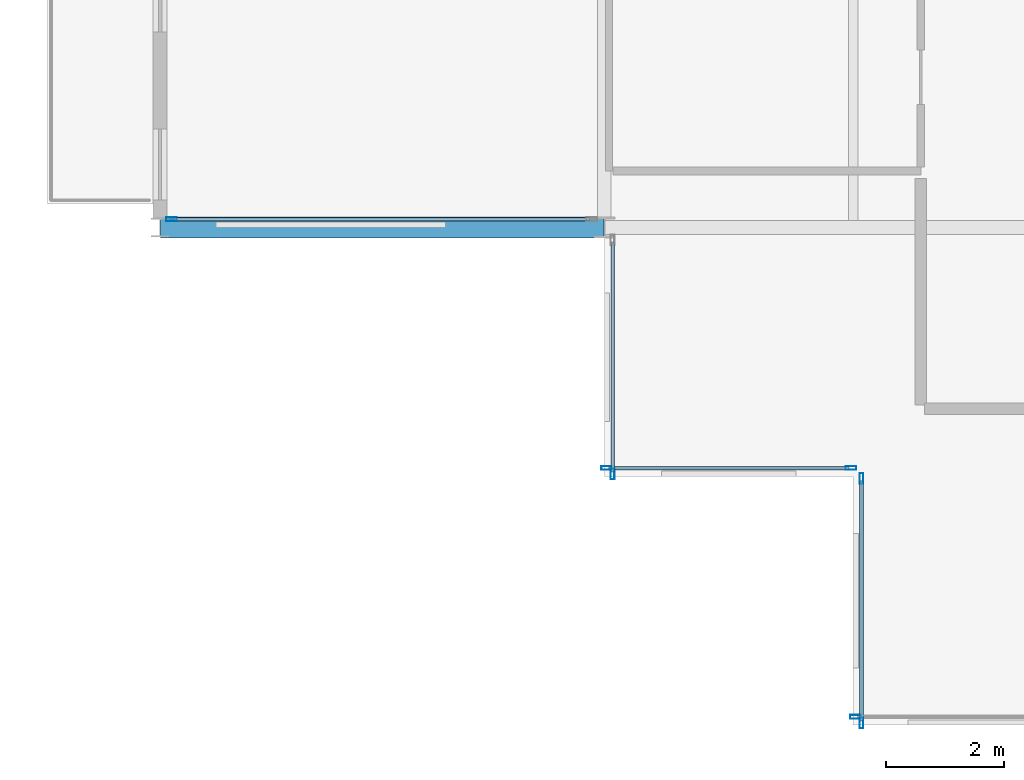
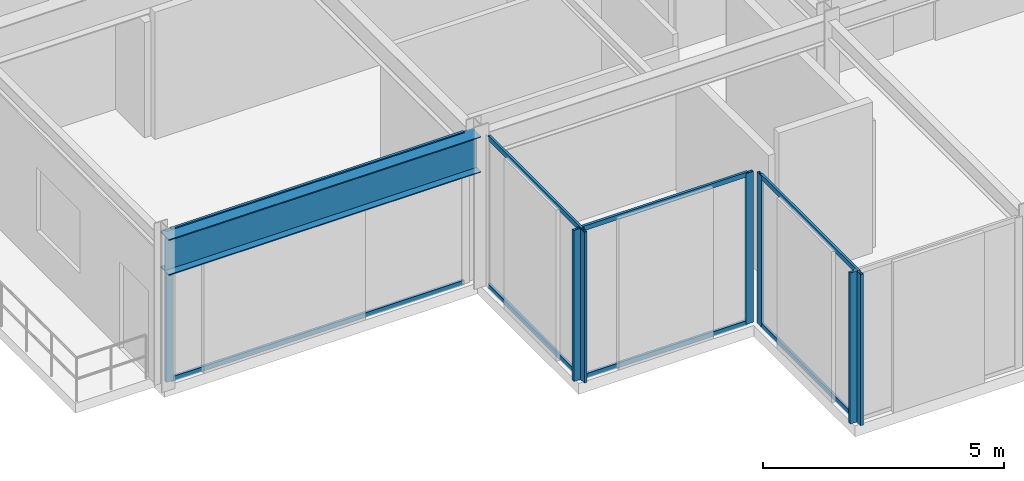
# One storey, part 3 of 29: 15 members, 1 beam, 5 elements without a shape of their own.
"""IFC4 building model written with IfcOpenShell, lengths in metres."""

from ifc_helpers import new_model, si_unit, direction, frame, origin, origin_2d, place, context, subcontext, project, spatial, hollow_rectangle, i_section, extrude, material, layer, layer_set, material_profile, profile_set, type_object, element, aggregate, save


model = new_model("IFC4")

# Units and contexts
model_context = context("Model", 3, precision=1e-05, world=origin(), true_north=direction((0.0, 1.0)))
body_context = subcontext(model_context, "Body", "Model", "MODEL_VIEW")
ifc_project = project(units=[si_unit("LENGTHUNIT", "METRE"), si_unit("AREAUNIT", "SQUARE_METRE"), si_unit("VOLUMEUNIT", "CUBIC_METRE"), si_unit("PLANEANGLEUNIT", "RADIAN"), si_unit("MASSUNIT", "GRAM", prefix="KILO")], contexts=[model_context])

# Site, building, storey
site_placement = place(None, origin())
site = spatial("IfcSite", under=ifc_project, at=site_placement, CompositionType="ELEMENT")
building_placement = place(site_placement, origin())
building = spatial("IfcBuilding", under=site, at=building_placement, Name="Nerrivon Quay Data Exchange", CompositionType="ELEMENT")
storey_placement = place(building_placement, frame((0.0, 0.0, 200.10009765625)))
storey = spatial("IfcBuildingStorey", under=building, at=storey_placement, Name="L47", CompositionType="ELEMENT", Elevation=200.10009765625)

# Beam
ifc_material_1 = material(Name="Steel Grade 350", Category="steel")
ifc_material_profile_1 = material_profile(ifc_material_1, i_section(OverallWidth=0.35009765625, OverallDepth=0.909912109375, WebThickness=0.011962890625, FlangeThickness=0.02490234375, at=origin_2d()), Name="900WB218")
ifc_profile_set_1 = profile_set([ifc_material_profile_1], Name="Steel Grade 350")
beam_type = type_object("IfcBeamType", Name="BM-CANT-900WB", PredefinedType="USERDEFINED", material=ifc_profile_set_1)
beam_placement = place(storey_placement, frame((-0.010009765625, 8.39990234375, 3.369873046875), z_axis=(-1.0, 0.0, 0.0), x_axis=(0.0, -1.0, 0.0)))
element("IfcBeam", 1, at=beam_placement, inside=storey, type_object=beam_type, Name="L47 West Hooked Cantilever Girder Y=8.4", ObjectType="TRANSFER", PredefinedType="USERDEFINED", context=body_context, shape_type="SweptSolid", body=[
    extrude(i_section(OverallWidth=0.35009765625, OverallDepth=0.909912109375, WebThickness=0.011962890625, FlangeThickness=0.02490234375, at=origin_2d()), origin(), (0.0, 0.0, 1.0), 7.482177734375),
])

# Curtain wall, member
ifc_material_2 = material(Name="Anodised aluminium 6063-T6", Category="aluminium")
ifc_layer_1 = layer(ifc_material_2, 0.195068359375)
ifc_layer_set_1 = layer_set([ifc_layer_1], Name="Anodised aluminium 6063-T6")
curtain_wall_type_1 = type_object("IfcCurtainWallType", Name="CW-SYS-06", PredefinedType="NOTDEFINED", material=ifc_layer_set_1)
curtain_wall_1_placement = place(storey_placement, origin())
curtain_wall_1 = element("IfcCurtainWall", 2, at=curtain_wall_1_placement, inside=storey, type_object=curtain_wall_type_1, Name="L47 Unitised Curtain Wall 28", PredefinedType="NOTDEFINED")
ifc_material_profile_2 = material_profile(ifc_material_2, hollow_rectangle(XDim=0.06494140625, YDim=0.179931640625, WallThickness=0.00341796875, at=origin_2d()), Name="ALU-MULL-180x65")
ifc_profile_set_2 = profile_set([ifc_material_profile_2], Name="Anodised aluminium 6063-T6")
member_type_1 = type_object("IfcMemberType", Name="CWM-180x65", PredefinedType="MULLION", material=ifc_profile_set_2)
member_1_placement = place(storey_placement, frame((4.237548828125, 0.139892578125, 0.0), z_axis=(0.0, 0.0, 1.0), x_axis=(0.0, -1.0, 0.0)))
member_1 = element("IfcMember", 3, at=member_1_placement, type_object=member_type_1, Name="CW06 mullion 2", PredefinedType="MULLION", context=body_context, shape_type="SweptSolid", body=[
    extrude(hollow_rectangle(XDim=0.06494140625, YDim=0.179931640625, WallThickness=0.00341796875, at=origin_2d()), origin(), (0.0, 0.0, 1.0), 3.824951171875),
])
aggregate(curtain_wall_1, [member_1])

# Curtain wall, members
curtain_wall_2_placement = place(storey_placement, origin())
curtain_wall_2 = element("IfcCurtainWall", 4, at=curtain_wall_2_placement, inside=storey, type_object=curtain_wall_type_1, Name="L47 Unitised Curtain Wall 29", PredefinedType="NOTDEFINED")
member_2_placement = place(storey_placement, frame((4.340087890625, 0.03759765625, 0.0), z_axis=(0.0, 0.0, 1.0), x_axis=(-1.0, 0.0, 0.0)))
member_2 = element("IfcMember", 5, at=member_2_placement, type_object=member_type_1, Name="CW06 mullion 1", PredefinedType="MULLION", context=body_context, shape_type="SweptSolid", body=[
    extrude(hollow_rectangle(XDim=0.06494140625, YDim=0.179931640625, WallThickness=0.00341796875, at=origin_2d()), origin(), (0.0, 0.0, 1.0), 3.824951171875),
])
member_3_placement = place(storey_placement, frame((4.340087890625, 4.16259765625, 0.0), z_axis=(0.0, 0.0, 1.0), x_axis=(-1.0, 0.0, 0.0)))
member_3 = element("IfcMember", 6, at=member_3_placement, type_object=member_type_1, Name="CW06 mullion 2", PredefinedType="MULLION", context=body_context, shape_type="SweptSolid", body=[
    extrude(hollow_rectangle(XDim=0.06494140625, YDim=0.179931640625, WallThickness=0.00341796875, at=origin_2d()), origin(), (0.0, 0.0, 1.0), 3.824951171875),
])

curtain_wall_3_placement = place(storey_placement, origin())
curtain_wall_3 = element("IfcCurtainWall", 7, at=curtain_wall_3_placement, inside=storey, type_object=curtain_wall_type_1, Name="L47 Unitised Curtain Wall 30", PredefinedType="NOTDEFINED")
member_4_placement = place(storey_placement, frame((4.16259765625, 4.340087890625, 0.0), z_axis=(0.0, 0.0, 1.0), x_axis=(0.0, -1.0, 0.0)))
member_4 = element("IfcMember", 8, at=member_4_placement, type_object=member_type_1, Name="CW06 mullion 1", PredefinedType="MULLION", context=body_context, shape_type="SweptSolid", body=[
    extrude(hollow_rectangle(XDim=0.06494140625, YDim=0.179931640625, WallThickness=0.00341796875, at=origin_2d()), origin(), (0.0, 0.0, 1.0), 3.824951171875),
])
member_5_placement = place(storey_placement, frame((0.03759765625, 4.340087890625, 0.0), z_axis=(0.0, 0.0, 1.0), x_axis=(0.0, -1.0, 0.0)))
member_5 = element("IfcMember", 9, at=member_5_placement, type_object=member_type_1, Name="CW06 mullion 2", PredefinedType="MULLION", context=body_context, shape_type="SweptSolid", body=[
    extrude(hollow_rectangle(XDim=0.06494140625, YDim=0.179931640625, WallThickness=0.00341796875, at=origin_2d()), origin(), (0.0, 0.0, 1.0), 3.824951171875),
])

# Curtain wall, member
curtain_wall_4_placement = place(storey_placement, origin())
curtain_wall_4 = element("IfcCurtainWall", 10, at=curtain_wall_4_placement, inside=storey, type_object=curtain_wall_type_1, Name="L47 Unitised Curtain Wall 31", PredefinedType="NOTDEFINED")
member_6_placement = place(storey_placement, frame((0.139892578125, 4.237548828125, 0.0), z_axis=(0.0, 0.0, 1.0), x_axis=(-1.0, 0.0, 0.0)))
member_6 = element("IfcMember", 11, at=member_6_placement, type_object=member_type_1, Name="CW06 mullion 1", PredefinedType="MULLION", context=body_context, shape_type="SweptSolid", body=[
    extrude(hollow_rectangle(XDim=0.06494140625, YDim=0.179931640625, WallThickness=0.00341796875, at=origin_2d()), origin(), (0.0, 0.0, 1.0), 3.824951171875),
])

ifc_layer_2 = layer(ifc_material_2, 0.199951171875)
ifc_layer_set_2 = layer_set([ifc_layer_2], Name="Anodised aluminium 6063-T6")
curtain_wall_type_2 = type_object("IfcCurtainWallType", Name="CW-SYS-04", PredefinedType="NOTDEFINED", material=ifc_layer_set_2)
curtain_wall_5_placement = place(storey_placement, origin())
curtain_wall_5 = element("IfcCurtainWall", 12, at=curtain_wall_5_placement, inside=storey, type_object=curtain_wall_type_2, Name="L47 Unitised Curtain Wall 32", PredefinedType="NOTDEFINED")
member_7_placement = place(storey_placement, frame((-7.306884765625, 8.5400390625, 0.0), z_axis=(0.0, 0.0, 1.0), x_axis=(0.0, -1.0, 0.0)))
member_7 = element("IfcMember", 13, at=member_7_placement, type_object=member_type_1, Name="CW04 mullion 2", PredefinedType="MULLION", context=body_context, shape_type="SweptSolid", body=[
    extrude(hollow_rectangle(XDim=0.06494140625, YDim=0.179931640625, WallThickness=0.00341796875, at=origin_2d()), origin(), (0.0, 0.0, 1.0), 3.824951171875),
])

# Member
ifc_material_profile_3 = material_profile(ifc_material_2, hollow_rectangle(XDim=0.06005859375, YDim=0.1201171875, WallThickness=0.003173828125, at=origin_2d()), Name="ALU-TRAN-120x60")
ifc_profile_set_3 = profile_set([ifc_material_profile_3], Name="Anodised aluminium 6063-T6")
member_type_2 = type_object("IfcMemberType", Name="CWT-120x60", PredefinedType="USERDEFINED", material=ifc_profile_set_3)
member_8_placement = place(storey_placement, frame((4.340087890625, 0.074951171875, 0.032470703125), z_axis=(0.0, 1.0, 0.0), x_axis=(-1.0, 0.0, 0.0)))
member_8 = element("IfcMember", 14, at=member_8_placement, type_object=member_type_2, Name="CW06 transom 1.1", ObjectType="TRANSOM", PredefinedType="USERDEFINED", context=body_context, shape_type="SweptSolid", body=[
    extrude(hollow_rectangle(XDim=0.06005859375, YDim=0.1201171875, WallThickness=0.003173828125, at=origin_2d()), origin(), (0.0, 0.0, 1.0), 4.050048828125),
])

member_9_placement = place(storey_placement, frame((4.340087890625, 0.074951171875, 3.79248046875), z_axis=(0.0, 1.0, 0.0), x_axis=(-1.0, 0.0, 0.0)))
member_9 = element("IfcMember", 15, at=member_9_placement, type_object=member_type_2, Name="CW06 transom 1.2", ObjectType="TRANSOM", PredefinedType="USERDEFINED", context=body_context, shape_type="SweptSolid", body=[
    extrude(hollow_rectangle(XDim=0.06005859375, YDim=0.1201171875, WallThickness=0.003173828125, at=origin_2d()), origin(), (0.0, 0.0, 1.0), 4.050048828125),
])

aggregate(curtain_wall_2, [member_2, member_3, member_8, member_9])

member_10_placement = place(storey_placement, frame((4.125, 4.340087890625, 0.032470703125), z_axis=(-1.0, 0.0, 0.0), x_axis=(0.0, -1.0, 0.0)))
member_10 = element("IfcMember", 16, at=member_10_placement, type_object=member_type_2, Name="CW06 transom 1.1", ObjectType="TRANSOM", PredefinedType="USERDEFINED", context=body_context, shape_type="SweptSolid", body=[
    extrude(hollow_rectangle(XDim=0.06005859375, YDim=0.1201171875, WallThickness=0.003173828125, at=origin_2d()), origin(), (0.0, 0.0, 1.0), 4.050048828125),
])

member_11_placement = place(storey_placement, frame((4.125, 4.340087890625, 3.79248046875), z_axis=(-1.0, 0.0, 0.0), x_axis=(0.0, -1.0, 0.0)))
member_11 = element("IfcMember", 17, at=member_11_placement, type_object=member_type_2, Name="CW06 transom 1.2", ObjectType="TRANSOM", PredefinedType="USERDEFINED", context=body_context, shape_type="SweptSolid", body=[
    extrude(hollow_rectangle(XDim=0.06005859375, YDim=0.1201171875, WallThickness=0.003173828125, at=origin_2d()), origin(), (0.0, 0.0, 1.0), 4.050048828125),
])

aggregate(curtain_wall_3, [member_4, member_5, member_10, member_11])

member_12_placement = place(storey_placement, frame((0.139892578125, 4.27490234375, 0.032470703125), z_axis=(0.0, 1.0, 0.0), x_axis=(-1.0, 0.0, 0.0)))
member_12 = element("IfcMember", 18, at=member_12_placement, type_object=member_type_2, Name="CW06 transom 1.1", ObjectType="TRANSOM", PredefinedType="USERDEFINED", context=body_context, shape_type="SweptSolid", body=[
    extrude(hollow_rectangle(XDim=0.06005859375, YDim=0.1201171875, WallThickness=0.003173828125, at=origin_2d()), origin(), (0.0, 0.0, 1.0), 3.875),
])

member_13_placement = place(storey_placement, frame((0.139892578125, 4.27490234375, 3.79248046875), z_axis=(0.0, 1.0, 0.0), x_axis=(-1.0, 0.0, 0.0)))
member_13 = element("IfcMember", 19, at=member_13_placement, type_object=member_type_2, Name="CW06 transom 1.2", ObjectType="TRANSOM", PredefinedType="USERDEFINED", context=body_context, shape_type="SweptSolid", body=[
    extrude(hollow_rectangle(XDim=0.06005859375, YDim=0.1201171875, WallThickness=0.003173828125, at=origin_2d()), origin(), (0.0, 0.0, 1.0), 3.875),
])

aggregate(curtain_wall_4, [member_6, member_12, member_13])

member_14_placement = place(storey_placement, frame((-0.25, 8.5400390625, 0.032470703125), z_axis=(-1.0, 0.0, 0.0), x_axis=(0.0, -1.0, 0.0)))
member_14 = element("IfcMember", 20, at=member_14_placement, type_object=member_type_2, Name="CW04 transom 1.1", ObjectType="TRANSOM", PredefinedType="USERDEFINED", context=body_context, shape_type="SweptSolid", body=[
    extrude(hollow_rectangle(XDim=0.06005859375, YDim=0.1201171875, WallThickness=0.003173828125, at=origin_2d()), origin(), (0.0, 0.0, 1.0), 7.01953125),
])

member_15_placement = place(storey_placement, frame((-0.25, 8.5400390625, 3.79248046875), z_axis=(-1.0, 0.0, 0.0), x_axis=(0.0, -1.0, 0.0)))
member_15 = element("IfcMember", 21, at=member_15_placement, type_object=member_type_2, Name="CW04 transom 1.2", ObjectType="TRANSOM", PredefinedType="USERDEFINED", context=body_context, shape_type="SweptSolid", body=[
    extrude(hollow_rectangle(XDim=0.06005859375, YDim=0.1201171875, WallThickness=0.003173828125, at=origin_2d()), origin(), (0.0, 0.0, 1.0), 7.01953125),
])

aggregate(curtain_wall_5, [member_7, member_14, member_15])

save(model, "model.ifc")
